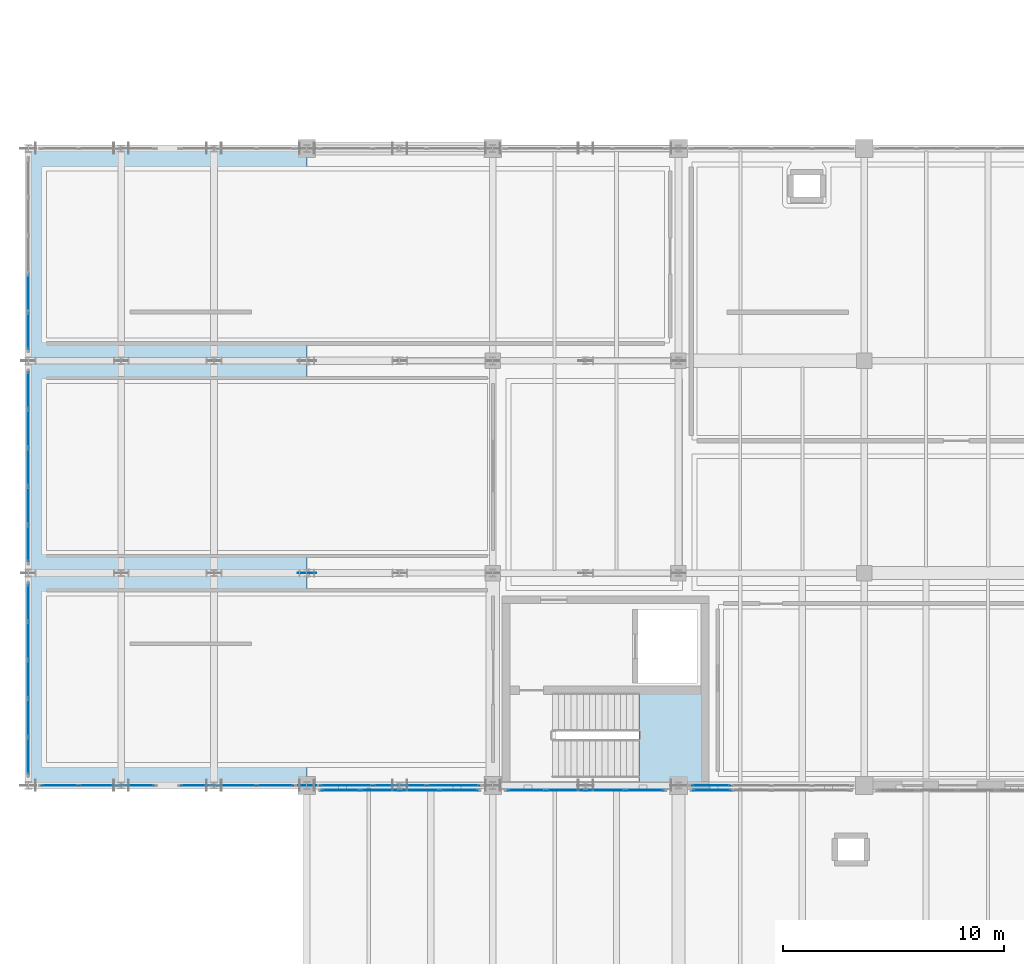
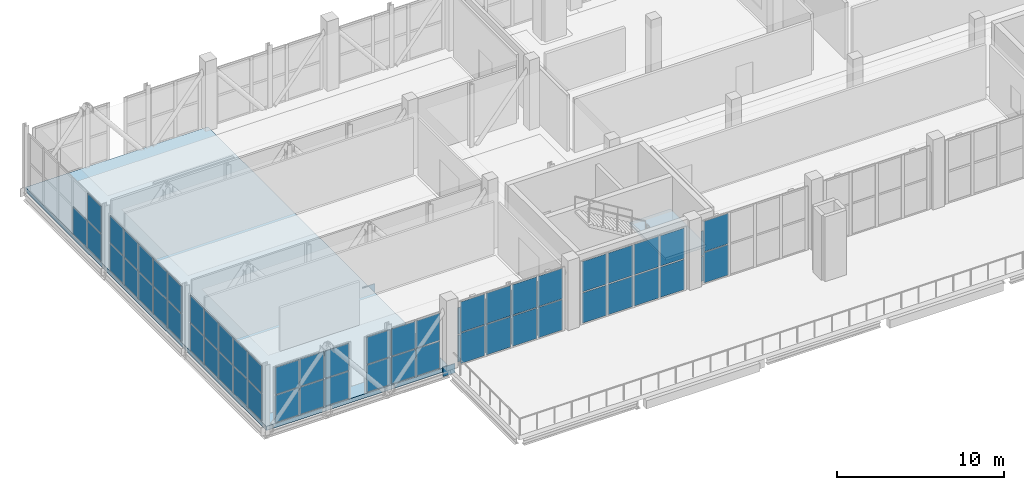
# One storey, part 49 of 77: 63 plates, 2 slabs, 11 elements without a shape of their own.
"""IFC4 building model written with IfcOpenShell, lengths in metres."""

import ifcopenshell
import ifcopenshell.guid

model = None  # the IFC model being written
_history = None  # IfcOwnerHistory: only IFC2X3 demands one
_inside = {}  # id of a spatial element -> (the spatial element, [elements in it])
_under = {}  # id of a project, library or spatial element -> (it, [spatial elements below it])
_declared = {}  # id of a project -> (the project, [libraries it declares])
_typed = {}  # id of a type object -> (the type object, [elements of that type])
_made_of = {}  # id of a material, layer set ... -> (it, [elements and type objects made of it])


def new_model(schema):
    """Start an empty IFC model of exactly this schema.

    Asked for "IFC4X3", IfcOpenShell would pick the latest addendum, in which some entities
    have other attributes; the version numbers below select the first issue.
    IFC2X3 requires an IfcOwnerHistory on every rooted entity: one is made here for all.
    """
    global model, _history
    if schema == "IFC4X3":
        model = ifcopenshell.file(schema_version=(4, 3, 0, 0))
    else:
        model = ifcopenshell.file(schema=schema)
    _inside.clear()
    _under.clear()
    _declared.clear()
    _typed.clear()
    _made_of.clear()
    _history = None
    if model.schema == "IFC2X3":
        org = make("IfcOrganization", Name="unknown")
        user = make(
            "IfcPersonAndOrganization",
            ThePerson=make("IfcPerson", FamilyName="unknown"),
            TheOrganization=org,
        )
        app = make(
            "IfcApplication",
            ApplicationDeveloper=org,
            Version="unknown",
            ApplicationFullName="unknown",
            ApplicationIdentifier="unknown",
        )
        _history = make(
            "IfcOwnerHistory",
            OwningUser=user,
            OwningApplication=app,
            ChangeAction="ADDED",
            CreationDate=0,
        )
    return model


def make(cls, **values):
    """One entity of the class cls with the attributes given. An attribute that is None is left unset."""
    return model.create_entity(
        cls, **{name: value for name, value in values.items() if value is not None}
    )


def rooted(cls, **values):
    """An entity with a GlobalId (a new one), such as an element, a storey or a relation."""
    return make(cls, GlobalId=ifcopenshell.guid.new(), OwnerHistory=_history, **values)


def si_unit(unit_type, name, prefix=None):
    """IfcSIUnit, for example si_unit("LENGTHUNIT", "METRE", prefix="MILLI")."""
    return make("IfcSIUnit", UnitType=unit_type, Prefix=prefix, Name=name)


def assignment(units):
    """IfcUnitAssignment: the units of a project."""
    return None if units is None else make("IfcUnitAssignment", Units=units)


def point(xyz):
    """IfcCartesianPoint."""
    return None if xyz is None else make("IfcCartesianPoint", Coordinates=xyz)


def direction(xyz):
    """IfcDirection."""
    return None if xyz is None else make("IfcDirection", DirectionRatios=xyz)


def frame(location, z_axis=None, x_axis=None):
    """IfcAxis2Placement3D, a coordinate frame: its origin and axes. An axis left out is left unset."""
    return make(
        "IfcAxis2Placement3D",
        Location=point(location),
        Axis=direction(z_axis),
        RefDirection=direction(x_axis),
    )


def frame_2d(location, x_axis=None):
    """IfcAxis2Placement2D, a coordinate frame in the plane: its origin and x axis."""
    return make(
        "IfcAxis2Placement2D", Location=point(location), RefDirection=direction(x_axis)
    )


def origin():
    """The frame at (0, 0, 0) with its axes left unset."""
    return frame((0.0, 0.0, 0.0))


def origin_2d():
    """The frame at (0, 0) in the plane with its x axis left unset."""
    return frame_2d((0.0, 0.0))


def place(relative_to, where):
    """IfcLocalPlacement: puts the frame where relative to a parent placement (None: the world)."""
    return make(
        "IfcLocalPlacement", PlacementRelTo=relative_to, RelativePlacement=where
    )


def context(
    kind, dimensions, precision=None, world=None, true_north=None, identifier=None
):
    """IfcGeometricRepresentationContext, for example the 3D "Model" context."""
    return make(
        "IfcGeometricRepresentationContext",
        ContextIdentifier=identifier,
        ContextType=kind,
        CoordinateSpaceDimension=dimensions,
        Precision=precision,
        WorldCoordinateSystem=world,
        TrueNorth=true_north,
    )


def subcontext(parent, identifier, kind, view, scale=None):
    """IfcGeometricRepresentationSubContext, for example "Body" below "Model"."""
    return make(
        "IfcGeometricRepresentationSubContext",
        ContextIdentifier=identifier,
        ContextType=kind,
        ParentContext=parent,
        TargetScale=scale,
        TargetView=view,
    )


def project(units=None, contexts=None):
    """IfcProject with its units and contexts."""
    return rooted(
        "IfcProject",
        Name="project",
        RepresentationContexts=contexts,
        UnitsInContext=assignment(units),
    )


def spatial(cls, under=None, at=None, **own):
    """A site, building, storey or space (cls), placed at a placement, below another one or the project."""
    s = rooted(cls, ObjectPlacement=at, **own)
    if under is not None:
        _under.setdefault(under.id(), (under, []))[1].append(s)
    return s


def polyline(points):
    """IfcPolyline through the points."""
    return make("IfcPolyline", Points=[point(p) for p in points])


def profile(cls, at=None, kind="AREA", **sizes):
    """A parametric profile (cls). Its sizes go by their IFC names, for example OverallWidth=200.0."""
    return make(cls, ProfileType=kind, Position=at, **sizes)


def rectangle(**sizes):
    """IfcRectangleProfileDef."""
    return profile("IfcRectangleProfileDef", **sizes)


def outline(outer, holes=None, kind="AREA"):
    """IfcArbitraryClosedProfileDef: a profile drawn as a closed curve; with holes, ...WithVoids."""
    if holes is None:
        return make("IfcArbitraryClosedProfileDef", ProfileType=kind, OuterCurve=outer)
    return make(
        "IfcArbitraryProfileDefWithVoids",
        ProfileType=kind,
        OuterCurve=outer,
        InnerCurves=holes,
    )


def extrude(swept, where, along, depth):
    """IfcExtrudedAreaSolid: the profile swept, set in the frame where, extruded along a direction by depth."""
    return make(
        "IfcExtrudedAreaSolid",
        SweptArea=swept,
        Position=where,
        ExtrudedDirection=direction(along),
        Depth=depth,
    )


def shape(context_of_items, identifier, shape_type, items):
    """IfcShapeRepresentation: the items that make up one representation, for example the "Body"."""
    return make(
        "IfcShapeRepresentation",
        ContextOfItems=context_of_items,
        RepresentationIdentifier=identifier,
        RepresentationType=shape_type,
        Items=items,
    )


def material(Name=None, Category=None):
    """IfcMaterial."""
    return make("IfcMaterial", Name=Name, Category=Category)


def layer(
    of_material, thickness, ventilated=None, Name=None, Category=None, Priority=None
):
    """IfcMaterialLayer: one layer of a wall or slab, of a material (None: an air gap)."""
    return make(
        "IfcMaterialLayer",
        Material=of_material,
        LayerThickness=thickness,
        IsVentilated=ventilated,
        Name=Name,
        Category=Category,
        Priority=Priority,
    )


def layer_set(layers, Name=None):
    """IfcMaterialLayerSet."""
    return make("IfcMaterialLayerSet", MaterialLayers=layers, LayerSetName=Name)


def made_of(thing, what):
    """Note that an element or type object is made of a material, layer set ...; save() writes the relation."""
    if what is not None:
        _made_of.setdefault(what.id(), (what, []))[1].append(thing)
    return thing


def type_object(cls, material=None, **own):
    """A type object (cls), such as IfcWallType, which elements share."""
    return made_of(rooted(cls, **own), material)


def element(
    cls,
    number,
    at=None,
    inside=None,
    cuts=None,
    type_object=None,
    material=None,
    context=None,
    identifier="Body",
    shape_type=None,
    held_by="IfcProductDefinitionShape",
    body=None,
    shapes=None,
    **own,
):
    """One element of the class cls, such as IfcWall. Its Tag is "e" and its number.

    at: its placement. inside: the storey or other place that contains it. cuts: it is an
    opening in that element (IfcRelVoidsElement). A single representation is given by context,
    identifier, shape_type and body (its items); several are given by shapes. held_by: the class
    of the entity that holds the representations. save() writes the other relations.
    """
    e = rooted(cls, Tag="e%d" % number, ObjectPlacement=at, **own)
    if body is not None:
        shapes = [shape(context, identifier, shape_type, body)]
    if shapes is not None:
        e.Representation = make(held_by, Representations=shapes)
    if inside is not None:
        _inside.setdefault(inside.id(), (inside, []))[1].append(e)
    if cuts is not None:
        rooted(
            "IfcRelVoidsElement", RelatingBuildingElement=cuts, RelatedOpeningElement=e
        )
    if type_object is not None:
        _typed.setdefault(type_object.id(), (type_object, []))[1].append(e)
    return made_of(e, material)


def aggregate(whole, parts):
    """IfcRelAggregates: a whole, such as a stair, and the parts it consists of."""
    return rooted("IfcRelAggregates", RelatingObject=whole, RelatedObjects=parts)


def save(model, path):
    """Write the relations noted so far, then the file.

    IfcRelAggregates (storeys below a building ...), IfcRelContainedInSpatialStructure (elements
    in a storey), IfcRelDefinesByType, IfcRelAssociatesMaterial and IfcRelDeclares: one each for
    every whole, place, type object, material and project.
    """
    for whole, parts in _under.values():
        aggregate(whole, parts)
    for where, things in _inside.values():
        rooted(
            "IfcRelContainedInSpatialStructure",
            RelatedElements=things,
            RelatingStructure=where,
        )
    for kind, things in _typed.values():
        rooted("IfcRelDefinesByType", RelatedObjects=things, RelatingType=kind)
    for what, things in _made_of.values():
        rooted("IfcRelAssociatesMaterial", RelatedObjects=things, RelatingMaterial=what)
    for by, libraries in _declared.values():
        rooted("IfcRelDeclares", RelatingContext=by, RelatedDefinitions=libraries)
    model.write(path)


model = new_model("IFC4")

# Units and contexts
model_context = context("Model", 3, precision=1e-05, world=origin(), true_north=direction((0.0, 1.0)))
body_context = subcontext(model_context, "Body", "Model", "MODEL_VIEW")
ifc_project = project(units=[si_unit("LENGTHUNIT", "METRE"), si_unit("AREAUNIT", "SQUARE_METRE"), si_unit("VOLUMEUNIT", "CUBIC_METRE"), si_unit("PLANEANGLEUNIT", "RADIAN"), si_unit("MASSUNIT", "GRAM", prefix="KILO")], contexts=[model_context])

# Site, building, storey
site_placement = place(None, origin())
site = spatial("IfcSite", under=ifc_project, at=site_placement, CompositionType="ELEMENT")
building_placement = place(site_placement, origin())
building = spatial("IfcBuilding", under=site, at=building_placement, Name="Zulmaris Art Gallery", CompositionType="ELEMENT")
storey_placement = place(building_placement, frame((0.0, 0.0, 15.60009765625)))
storey = spatial("IfcBuildingStorey", under=building, at=storey_placement, Name="L03", CompositionType="ELEMENT", Elevation=15.60009765625)

# Curtain wall, plates
ifc_material_1 = material(Name="Unitised Low-E Gallery Curtain Wall", Category="aluminium")
ifc_layer_1 = layer(ifc_material_1, 0.179931640625)
ifc_layer_set_1 = layer_set([ifc_layer_1], Name="Unitised Low-E Gallery Curtain Wall")
curtain_wall_type_1 = type_object("IfcCurtainWallType", Name="CW-CW01", PredefinedType="NOTDEFINED", material=ifc_layer_set_1)
curtain_wall_1_placement = place(storey_placement, origin())
curtain_wall_1 = element("IfcCurtainWall", 1, at=curtain_wall_1_placement, inside=storey, type_object=curtain_wall_type_1, Name="L03 curtain wall 1", PredefinedType="NOTDEFINED")
ifc_material_2 = material(Name="Triple Solar-Control Laminated Glass", Category="glass")
ifc_layer_2 = layer(ifc_material_2, 0.035888671875)
ifc_layer_set_2 = layer_set([ifc_layer_2], Name="Triple Solar-Control Laminated Glass")
plate_type_1 = type_object("IfcPlateType", Name="CWPAN-GLZ", PredefinedType="CURTAIN_PANEL", material=ifc_layer_set_2)
plate_1_placement = place(storey_placement, frame((12.828857421875, 21.60009765625, 0.07470703125), z_axis=(0.0, 0.0, 1.0), x_axis=(1.0, 0.0, 0.0)))
plate_1 = element("IfcPlate", 2, at=plate_1_placement, type_object=plate_type_1, Name="CW01 panel 1.1", PredefinedType="CURTAIN_PANEL", context=body_context, shape_type="SweptSolid", body=[
    extrude(rectangle(XDim=1.62744140625, YDim=0.031982421875, at=origin_2d()), origin(), (0.0, 0.0, 1.0), 1.967529296875),
])
plate_2_placement = place(storey_placement, frame((12.828857421875, 21.60009765625, 2.1171875), z_axis=(0.0, 0.0, 1.0), x_axis=(1.0, 0.0, 0.0)))
plate_2 = element("IfcPlate", 3, at=plate_2_placement, type_object=plate_type_1, Name="CW01 panel 1.2", PredefinedType="CURTAIN_PANEL", context=body_context, shape_type="SweptSolid", body=[
    extrude(rectangle(XDim=1.62744140625, YDim=0.031982421875, at=origin_2d()), origin(), (0.0, 0.0, 1.0), 1.967529296875),
])
plate_3_placement = place(storey_placement, frame((14.550048828125, 21.60009765625, 0.07470703125), z_axis=(0.0, 0.0, 1.0), x_axis=(1.0, 0.0, 0.0)))
plate_3 = element("IfcPlate", 4, at=plate_3_placement, type_object=plate_type_1, Name="CW01 panel 2.1", PredefinedType="CURTAIN_PANEL", context=body_context, shape_type="SweptSolid", body=[
    extrude(rectangle(XDim=1.6650390625, YDim=0.031982421875, at=origin_2d()), origin(), (0.0, 0.0, 1.0), 1.967529296875),
])
plate_4_placement = place(storey_placement, frame((14.550048828125, 21.60009765625, 2.1171875), z_axis=(0.0, 0.0, 1.0), x_axis=(1.0, 0.0, 0.0)))
plate_4 = element("IfcPlate", 5, at=plate_4_placement, type_object=plate_type_1, Name="CW01 panel 2.2", PredefinedType="CURTAIN_PANEL", context=body_context, shape_type="SweptSolid", body=[
    extrude(rectangle(XDim=1.6650390625, YDim=0.031982421875, at=origin_2d()), origin(), (0.0, 0.0, 1.0), 1.967529296875),
])
plate_5_placement = place(storey_placement, frame((16.271240234375, 21.60009765625, 0.07470703125), z_axis=(0.0, 0.0, 1.0), x_axis=(1.0, 0.0, 0.0)))
plate_5 = element("IfcPlate", 6, at=plate_5_placement, type_object=plate_type_1, Name="CW01 panel 3.1", PredefinedType="CURTAIN_PANEL", context=body_context, shape_type="SweptSolid", body=[
    extrude(rectangle(XDim=1.62744140625, YDim=0.031982421875, at=origin_2d()), origin(), (0.0, 0.0, 1.0), 1.967529296875),
])
plate_6_placement = place(storey_placement, frame((16.271240234375, 21.60009765625, 2.1171875), z_axis=(0.0, 0.0, 1.0), x_axis=(1.0, 0.0, 0.0)))
plate_6 = element("IfcPlate", 7, at=plate_6_placement, type_object=plate_type_1, Name="CW01 panel 3.2", PredefinedType="CURTAIN_PANEL", context=body_context, shape_type="SweptSolid", body=[
    extrude(rectangle(XDim=1.62744140625, YDim=0.031982421875, at=origin_2d()), origin(), (0.0, 0.0, 1.0), 1.967529296875),
])
aggregate(curtain_wall_1, [plate_1, plate_2, plate_3, plate_4, plate_5, plate_6])

curtain_wall_2_placement = place(storey_placement, origin())
curtain_wall_2 = element("IfcCurtainWall", 8, at=curtain_wall_2_placement, inside=storey, type_object=curtain_wall_type_1, Name="L03 curtain wall 3", PredefinedType="NOTDEFINED")
plate_7_placement = place(storey_placement, frame((19.128662109375, 21.60009765625, 0.07470703125), z_axis=(0.0, 0.0, 1.0), x_axis=(1.0, 0.0, 0.0)))
plate_7 = element("IfcPlate", 9, at=plate_7_placement, type_object=plate_type_1, Name="CW01 panel 1.1", PredefinedType="CURTAIN_PANEL", context=body_context, shape_type="SweptSolid", body=[
    extrude(rectangle(XDim=1.62744140625, YDim=0.031982421875, at=origin_2d()), origin(), (0.0, 0.0, 1.0), 1.967529296875),
])
plate_8_placement = place(storey_placement, frame((19.128662109375, 21.60009765625, 2.1171875), z_axis=(0.0, 0.0, 1.0), x_axis=(1.0, 0.0, 0.0)))
plate_8 = element("IfcPlate", 10, at=plate_8_placement, type_object=plate_type_1, Name="CW01 panel 1.2", PredefinedType="CURTAIN_PANEL", context=body_context, shape_type="SweptSolid", body=[
    extrude(rectangle(XDim=1.62744140625, YDim=0.031982421875, at=origin_2d()), origin(), (0.0, 0.0, 1.0), 1.967529296875),
])
plate_9_placement = place(storey_placement, frame((20.85009765625, 21.60009765625, 0.07470703125), z_axis=(0.0, 0.0, 1.0), x_axis=(1.0, 0.0, 0.0)))
plate_9 = element("IfcPlate", 11, at=plate_9_placement, type_object=plate_type_1, Name="CW01 panel 2.1", PredefinedType="CURTAIN_PANEL", context=body_context, shape_type="SweptSolid", body=[
    extrude(rectangle(XDim=1.6650390625, YDim=0.031982421875, at=origin_2d()), origin(), (0.0, 0.0, 1.0), 1.967529296875),
])
plate_10_placement = place(storey_placement, frame((20.85009765625, 21.60009765625, 2.1171875), z_axis=(0.0, 0.0, 1.0), x_axis=(1.0, 0.0, 0.0)))
plate_10 = element("IfcPlate", 12, at=plate_10_placement, type_object=plate_type_1, Name="CW01 panel 2.2", PredefinedType="CURTAIN_PANEL", context=body_context, shape_type="SweptSolid", body=[
    extrude(rectangle(XDim=1.6650390625, YDim=0.031982421875, at=origin_2d()), origin(), (0.0, 0.0, 1.0), 1.967529296875),
])
plate_11_placement = place(storey_placement, frame((22.5712890625, 21.60009765625, 0.07470703125), z_axis=(0.0, 0.0, 1.0), x_axis=(1.0, 0.0, 0.0)))
plate_11 = element("IfcPlate", 13, at=plate_11_placement, type_object=plate_type_1, Name="CW01 panel 3.1", PredefinedType="CURTAIN_PANEL", context=body_context, shape_type="SweptSolid", body=[
    extrude(rectangle(XDim=1.62744140625, YDim=0.031982421875, at=origin_2d()), origin(), (0.0, 0.0, 1.0), 1.967529296875),
])
plate_12_placement = place(storey_placement, frame((22.5712890625, 21.60009765625, 2.1171875), z_axis=(0.0, 0.0, 1.0), x_axis=(1.0, 0.0, 0.0)))
plate_12 = element("IfcPlate", 14, at=plate_12_placement, type_object=plate_type_1, Name="CW01 panel 3.2", PredefinedType="CURTAIN_PANEL", context=body_context, shape_type="SweptSolid", body=[
    extrude(rectangle(XDim=1.62744140625, YDim=0.031982421875, at=origin_2d()), origin(), (0.0, 0.0, 1.0), 1.967529296875),
])
aggregate(curtain_wall_2, [plate_7, plate_8, plate_9, plate_10, plate_11, plate_12])

curtain_wall_3_placement = place(storey_placement, origin())
curtain_wall_3 = element("IfcCurtainWall", 15, at=curtain_wall_3_placement, inside=storey, type_object=curtain_wall_type_1, Name="L03 curtain wall 5", PredefinedType="NOTDEFINED")
plate_13_placement = place(storey_placement, frame((25.77880859375, 21.60009765625, 0.074951171875), z_axis=(0.0, 0.0, 1.0), x_axis=(1.0, 0.0, 0.0)))
plate_13 = element("IfcPlate", 16, at=plate_13_placement, type_object=plate_type_1, Name="CW01 panel 1.1", PredefinedType="CURTAIN_PANEL", context=body_context, shape_type="SweptSolid", body=[
    extrude(rectangle(XDim=2.327392578125, YDim=0.031982421875, at=origin_2d()), origin(), (0.0, 0.0, 1.0), 1.9423828125),
])
plate_14_placement = place(storey_placement, frame((25.77880859375, 21.60009765625, 2.092529296875), z_axis=(0.0, 0.0, 1.0), x_axis=(1.0, 0.0, 0.0)))
plate_14 = element("IfcPlate", 17, at=plate_14_placement, type_object=plate_type_1, Name="CW01 panel 1.2", PredefinedType="CURTAIN_PANEL", context=body_context, shape_type="SweptSolid", body=[
    extrude(rectangle(XDim=2.327392578125, YDim=0.031982421875, at=origin_2d()), origin(), (0.0, 0.0, 1.0), 1.9423828125),
])
plate_15_placement = place(storey_placement, frame((28.199951171875, 21.60009765625, 0.074951171875), z_axis=(0.0, 0.0, 1.0), x_axis=(1.0, 0.0, 0.0)))
plate_15 = element("IfcPlate", 18, at=plate_15_placement, type_object=plate_type_1, Name="CW01 panel 2.1", PredefinedType="CURTAIN_PANEL", context=body_context, shape_type="SweptSolid", body=[
    extrude(rectangle(XDim=2.364990234375, YDim=0.031982421875, at=origin_2d()), origin(), (0.0, 0.0, 1.0), 1.9423828125),
])
plate_16_placement = place(storey_placement, frame((28.199951171875, 21.60009765625, 2.092529296875), z_axis=(0.0, 0.0, 1.0), x_axis=(1.0, 0.0, 0.0)))
plate_16 = element("IfcPlate", 19, at=plate_16_placement, type_object=plate_type_1, Name="CW01 panel 2.2", PredefinedType="CURTAIN_PANEL", context=body_context, shape_type="SweptSolid", body=[
    extrude(rectangle(XDim=2.364990234375, YDim=0.031982421875, at=origin_2d()), origin(), (0.0, 0.0, 1.0), 1.9423828125),
])
plate_17_placement = place(storey_placement, frame((30.621337890625, 21.60009765625, 0.074951171875), z_axis=(0.0, 0.0, 1.0), x_axis=(1.0, 0.0, 0.0)))
plate_17 = element("IfcPlate", 20, at=plate_17_placement, type_object=plate_type_1, Name="CW01 panel 3.1", PredefinedType="CURTAIN_PANEL", context=body_context, shape_type="SweptSolid", body=[
    extrude(rectangle(XDim=2.327392578125, YDim=0.031982421875, at=origin_2d()), origin(), (0.0, 0.0, 1.0), 1.9423828125),
])
plate_18_placement = place(storey_placement, frame((30.621337890625, 21.60009765625, 2.092529296875), z_axis=(0.0, 0.0, 1.0), x_axis=(1.0, 0.0, 0.0)))
plate_18 = element("IfcPlate", 21, at=plate_18_placement, type_object=plate_type_1, Name="CW01 panel 3.2", PredefinedType="CURTAIN_PANEL", context=body_context, shape_type="SweptSolid", body=[
    extrude(rectangle(XDim=2.327392578125, YDim=0.031982421875, at=origin_2d()), origin(), (0.0, 0.0, 1.0), 1.9423828125),
])
aggregate(curtain_wall_3, [plate_13, plate_14, plate_15, plate_16, plate_17, plate_18])

curtain_wall_4_placement = place(storey_placement, origin())
curtain_wall_4 = element("IfcCurtainWall", 22, at=curtain_wall_4_placement, inside=storey, type_object=curtain_wall_type_1, Name="L03 curtain wall 8", PredefinedType="NOTDEFINED")
plate_19_placement = place(storey_placement, frame((42.273681640625, 21.60009765625, 0.074951171875), z_axis=(0.0, 0.0, 1.0), x_axis=(1.0, 0.0, 0.0)))
plate_19 = element("IfcPlate", 23, at=plate_19_placement, type_object=plate_type_1, Name="CW01 panel 1.1", PredefinedType="CURTAIN_PANEL", context=body_context, shape_type="SweptSolid", body=[
    extrude(rectangle(XDim=1.717529296875, YDim=0.031982421875, at=origin_2d()), origin(), (0.0, 0.0, 1.0), 1.79248046875),
])
plate_20_placement = place(storey_placement, frame((42.273681640625, 21.60009765625, 1.9423828125), z_axis=(0.0, 0.0, 1.0), x_axis=(1.0, 0.0, 0.0)))
plate_20 = element("IfcPlate", 24, at=plate_20_placement, type_object=plate_type_1, Name="CW01 panel 1.2", PredefinedType="CURTAIN_PANEL", context=body_context, shape_type="SweptSolid", body=[
    extrude(rectangle(XDim=1.717529296875, YDim=0.031982421875, at=origin_2d()), origin(), (0.0, 0.0, 1.0), 1.79248046875),
])
aggregate(curtain_wall_4, [plate_19, plate_20])

ifc_material_3 = material(Name="Belvedere Horizon Glazed Curtain Wall", Category="aluminium")
ifc_layer_3 = layer(ifc_material_3, 0.179931640625)
ifc_layer_set_3 = layer_set([ifc_layer_3], Name="Belvedere Horizon Glazed Curtain Wall")
curtain_wall_type_2 = type_object("IfcCurtainWallType", Name="CW-CW02", PredefinedType="NOTDEFINED", material=ifc_layer_set_3)
curtain_wall_5_placement = place(storey_placement, origin())
curtain_wall_5 = element("IfcCurtainWall", 25, at=curtain_wall_5_placement, inside=storey, type_object=curtain_wall_type_2, Name="L03 curtain wall 16", PredefinedType="NOTDEFINED")
plate_21_placement = place(storey_placement, frame((11.39990234375, 22.938720703125, 0.07470703125), z_axis=(0.0, 0.0, 1.0), x_axis=(0.0, 1.0, 0.0)))
plate_21 = element("IfcPlate", 26, at=plate_21_placement, type_object=plate_type_1, Name="CW02 panel 1.1", PredefinedType="CURTAIN_PANEL", context=body_context, shape_type="SweptSolid", body=[
    extrude(rectangle(XDim=1.62744140625, YDim=0.031982421875, at=origin_2d()), origin(), (0.0, 0.0, 1.0), 1.967529296875),
])
plate_22_placement = place(storey_placement, frame((11.39990234375, 22.938720703125, 2.1171875), z_axis=(0.0, 0.0, 1.0), x_axis=(0.0, 1.0, 0.0)))
plate_22 = element("IfcPlate", 27, at=plate_22_placement, type_object=plate_type_1, Name="CW02 panel 1.2", PredefinedType="CURTAIN_PANEL", context=body_context, shape_type="SweptSolid", body=[
    extrude(rectangle(XDim=1.62744140625, YDim=0.031982421875, at=origin_2d()), origin(), (0.0, 0.0, 1.0), 1.967529296875),
])
plate_23_placement = place(storey_placement, frame((11.39990234375, 24.659912109375, 0.07470703125), z_axis=(0.0, 0.0, 1.0), x_axis=(0.0, 1.0, 0.0)))
plate_23 = element("IfcPlate", 28, at=plate_23_placement, type_object=plate_type_1, Name="CW02 panel 2.1", PredefinedType="CURTAIN_PANEL", context=body_context, shape_type="SweptSolid", body=[
    extrude(rectangle(XDim=1.6650390625, YDim=0.031982421875, at=origin_2d()), origin(), (0.0, 0.0, 1.0), 1.967529296875),
])
plate_24_placement = place(storey_placement, frame((11.39990234375, 24.659912109375, 2.1171875), z_axis=(0.0, 0.0, 1.0), x_axis=(0.0, 1.0, 0.0)))
plate_24 = element("IfcPlate", 29, at=plate_24_placement, type_object=plate_type_1, Name="CW02 panel 2.2", PredefinedType="CURTAIN_PANEL", context=body_context, shape_type="SweptSolid", body=[
    extrude(rectangle(XDim=1.6650390625, YDim=0.031982421875, at=origin_2d()), origin(), (0.0, 0.0, 1.0), 1.967529296875),
])
plate_25_placement = place(storey_placement, frame((11.39990234375, 26.39990234375, 0.07470703125), z_axis=(0.0, 0.0, 1.0), x_axis=(0.0, 1.0, 0.0)))
plate_25 = element("IfcPlate", 30, at=plate_25_placement, type_object=plate_type_1, Name="CW02 panel 3.1", PredefinedType="CURTAIN_PANEL", context=body_context, shape_type="SweptSolid", body=[
    extrude(rectangle(XDim=1.6650390625, YDim=0.031982421875, at=origin_2d()), origin(), (0.0, 0.0, 1.0), 1.967529296875),
])
plate_26_placement = place(storey_placement, frame((11.39990234375, 26.39990234375, 2.1171875), z_axis=(0.0, 0.0, 1.0), x_axis=(0.0, 1.0, 0.0)))
plate_26 = element("IfcPlate", 31, at=plate_26_placement, type_object=plate_type_1, Name="CW02 panel 3.2", PredefinedType="CURTAIN_PANEL", context=body_context, shape_type="SweptSolid", body=[
    extrude(rectangle(XDim=1.6650390625, YDim=0.031982421875, at=origin_2d()), origin(), (0.0, 0.0, 1.0), 1.967529296875),
])
plate_27_placement = place(storey_placement, frame((11.39990234375, 28.139892578125, 0.07470703125), z_axis=(0.0, 0.0, 1.0), x_axis=(0.0, 1.0, 0.0)))
plate_27 = element("IfcPlate", 32, at=plate_27_placement, type_object=plate_type_1, Name="CW02 panel 4.1", PredefinedType="CURTAIN_PANEL", context=body_context, shape_type="SweptSolid", body=[
    extrude(rectangle(XDim=1.6650390625, YDim=0.031982421875, at=origin_2d()), origin(), (0.0, 0.0, 1.0), 1.967529296875),
])
plate_28_placement = place(storey_placement, frame((11.39990234375, 28.139892578125, 2.1171875), z_axis=(0.0, 0.0, 1.0), x_axis=(0.0, 1.0, 0.0)))
plate_28 = element("IfcPlate", 33, at=plate_28_placement, type_object=plate_type_1, Name="CW02 panel 4.2", PredefinedType="CURTAIN_PANEL", context=body_context, shape_type="SweptSolid", body=[
    extrude(rectangle(XDim=1.6650390625, YDim=0.031982421875, at=origin_2d()), origin(), (0.0, 0.0, 1.0), 1.967529296875),
])
plate_29_placement = place(storey_placement, frame((11.39990234375, 29.861328125, 0.07470703125), z_axis=(0.0, 0.0, 1.0), x_axis=(0.0, 1.0, 0.0)))
plate_29 = element("IfcPlate", 34, at=plate_29_placement, type_object=plate_type_1, Name="CW02 panel 5.1", PredefinedType="CURTAIN_PANEL", context=body_context, shape_type="SweptSolid", body=[
    extrude(rectangle(XDim=1.62744140625, YDim=0.031982421875, at=origin_2d()), origin(), (0.0, 0.0, 1.0), 1.967529296875),
])
plate_30_placement = place(storey_placement, frame((11.39990234375, 29.861328125, 2.1171875), z_axis=(0.0, 0.0, 1.0), x_axis=(0.0, 1.0, 0.0)))
plate_30 = element("IfcPlate", 35, at=plate_30_placement, type_object=plate_type_1, Name="CW02 panel 5.2", PredefinedType="CURTAIN_PANEL", context=body_context, shape_type="SweptSolid", body=[
    extrude(rectangle(XDim=1.62744140625, YDim=0.031982421875, at=origin_2d()), origin(), (0.0, 0.0, 1.0), 1.967529296875),
])
aggregate(curtain_wall_5, [plate_21, plate_22, plate_23, plate_24, plate_25, plate_26, plate_27, plate_28, plate_29, plate_30])

curtain_wall_6_placement = place(storey_placement, origin())
curtain_wall_6 = element("IfcCurtainWall", 36, at=curtain_wall_6_placement, inside=storey, type_object=curtain_wall_type_2, Name="L03 curtain wall 17", PredefinedType="NOTDEFINED")
plate_31_placement = place(storey_placement, frame((11.39990234375, 32.538818359375, 0.07470703125), z_axis=(0.0, 0.0, 1.0), x_axis=(0.0, 1.0, 0.0)))
plate_31 = element("IfcPlate", 37, at=plate_31_placement, type_object=plate_type_1, Name="CW02 panel 1.1", PredefinedType="CURTAIN_PANEL", context=body_context, shape_type="SweptSolid", body=[
    extrude(rectangle(XDim=1.62744140625, YDim=0.031982421875, at=origin_2d()), origin(), (0.0, 0.0, 1.0), 1.967529296875),
])
plate_32_placement = place(storey_placement, frame((11.39990234375, 32.538818359375, 2.1171875), z_axis=(0.0, 0.0, 1.0), x_axis=(0.0, 1.0, 0.0)))
plate_32 = element("IfcPlate", 38, at=plate_32_placement, type_object=plate_type_1, Name="CW02 panel 1.2", PredefinedType="CURTAIN_PANEL", context=body_context, shape_type="SweptSolid", body=[
    extrude(rectangle(XDim=1.62744140625, YDim=0.031982421875, at=origin_2d()), origin(), (0.0, 0.0, 1.0), 1.967529296875),
])
plate_33_placement = place(storey_placement, frame((11.39990234375, 34.260009765625, 0.07470703125), z_axis=(0.0, 0.0, 1.0), x_axis=(0.0, 1.0, 0.0)))
plate_33 = element("IfcPlate", 39, at=plate_33_placement, type_object=plate_type_1, Name="CW02 panel 2.1", PredefinedType="CURTAIN_PANEL", context=body_context, shape_type="SweptSolid", body=[
    extrude(rectangle(XDim=1.6650390625, YDim=0.031982421875, at=origin_2d()), origin(), (0.0, 0.0, 1.0), 1.967529296875),
])
plate_34_placement = place(storey_placement, frame((11.39990234375, 34.260009765625, 2.1171875), z_axis=(0.0, 0.0, 1.0), x_axis=(0.0, 1.0, 0.0)))
plate_34 = element("IfcPlate", 40, at=plate_34_placement, type_object=plate_type_1, Name="CW02 panel 2.2", PredefinedType="CURTAIN_PANEL", context=body_context, shape_type="SweptSolid", body=[
    extrude(rectangle(XDim=1.6650390625, YDim=0.031982421875, at=origin_2d()), origin(), (0.0, 0.0, 1.0), 1.967529296875),
])
plate_35_placement = place(storey_placement, frame((11.39990234375, 36.0, 0.07470703125), z_axis=(0.0, 0.0, 1.0), x_axis=(0.0, 1.0, 0.0)))
plate_35 = element("IfcPlate", 41, at=plate_35_placement, type_object=plate_type_1, Name="CW02 panel 3.1", PredefinedType="CURTAIN_PANEL", context=body_context, shape_type="SweptSolid", body=[
    extrude(rectangle(XDim=1.6650390625, YDim=0.031982421875, at=origin_2d()), origin(), (0.0, 0.0, 1.0), 1.967529296875),
])
plate_36_placement = place(storey_placement, frame((11.39990234375, 36.0, 2.1171875), z_axis=(0.0, 0.0, 1.0), x_axis=(0.0, 1.0, 0.0)))
plate_36 = element("IfcPlate", 42, at=plate_36_placement, type_object=plate_type_1, Name="CW02 panel 3.2", PredefinedType="CURTAIN_PANEL", context=body_context, shape_type="SweptSolid", body=[
    extrude(rectangle(XDim=1.6650390625, YDim=0.031982421875, at=origin_2d()), origin(), (0.0, 0.0, 1.0), 1.967529296875),
])
plate_37_placement = place(storey_placement, frame((11.39990234375, 37.739990234375, 0.07470703125), z_axis=(0.0, 0.0, 1.0), x_axis=(0.0, 1.0, 0.0)))
plate_37 = element("IfcPlate", 43, at=plate_37_placement, type_object=plate_type_1, Name="CW02 panel 4.1", PredefinedType="CURTAIN_PANEL", context=body_context, shape_type="SweptSolid", body=[
    extrude(rectangle(XDim=1.6650390625, YDim=0.031982421875, at=origin_2d()), origin(), (0.0, 0.0, 1.0), 1.967529296875),
])
plate_38_placement = place(storey_placement, frame((11.39990234375, 37.739990234375, 2.1171875), z_axis=(0.0, 0.0, 1.0), x_axis=(0.0, 1.0, 0.0)))
plate_38 = element("IfcPlate", 44, at=plate_38_placement, type_object=plate_type_1, Name="CW02 panel 4.2", PredefinedType="CURTAIN_PANEL", context=body_context, shape_type="SweptSolid", body=[
    extrude(rectangle(XDim=1.6650390625, YDim=0.031982421875, at=origin_2d()), origin(), (0.0, 0.0, 1.0), 1.967529296875),
])
plate_39_placement = place(storey_placement, frame((11.39990234375, 39.461181640625, 0.07470703125), z_axis=(0.0, 0.0, 1.0), x_axis=(0.0, 1.0, 0.0)))
plate_39 = element("IfcPlate", 45, at=plate_39_placement, type_object=plate_type_1, Name="CW02 panel 5.1", PredefinedType="CURTAIN_PANEL", context=body_context, shape_type="SweptSolid", body=[
    extrude(rectangle(XDim=1.62744140625, YDim=0.031982421875, at=origin_2d()), origin(), (0.0, 0.0, 1.0), 1.967529296875),
])
plate_40_placement = place(storey_placement, frame((11.39990234375, 39.461181640625, 2.1171875), z_axis=(0.0, 0.0, 1.0), x_axis=(0.0, 1.0, 0.0)))
plate_40 = element("IfcPlate", 46, at=plate_40_placement, type_object=plate_type_1, Name="CW02 panel 5.2", PredefinedType="CURTAIN_PANEL", context=body_context, shape_type="SweptSolid", body=[
    extrude(rectangle(XDim=1.62744140625, YDim=0.031982421875, at=origin_2d()), origin(), (0.0, 0.0, 1.0), 1.967529296875),
])
aggregate(curtain_wall_6, [plate_31, plate_32, plate_33, plate_34, plate_35, plate_36, plate_37, plate_38, plate_39, plate_40])

curtain_wall_7_placement = place(storey_placement, origin())
curtain_wall_7 = element("IfcCurtainWall", 47, at=curtain_wall_7_placement, inside=storey, type_object=curtain_wall_type_2, Name="L03 curtain wall 18", PredefinedType="NOTDEFINED")
plate_41_placement = place(storey_placement, frame((11.39990234375, 42.138671875, 0.07470703125), z_axis=(0.0, 0.0, 1.0), x_axis=(0.0, 1.0, 0.0)))
plate_41 = element("IfcPlate", 48, at=plate_41_placement, type_object=plate_type_1, Name="CW02 panel 1.1", PredefinedType="CURTAIN_PANEL", context=body_context, shape_type="SweptSolid", body=[
    extrude(rectangle(XDim=1.62744140625, YDim=0.031982421875, at=origin_2d()), origin(), (0.0, 0.0, 1.0), 1.967529296875),
])
plate_42_placement = place(storey_placement, frame((11.39990234375, 42.138671875, 2.1171875), z_axis=(0.0, 0.0, 1.0), x_axis=(0.0, 1.0, 0.0)))
plate_42 = element("IfcPlate", 49, at=plate_42_placement, type_object=plate_type_1, Name="CW02 panel 1.2", PredefinedType="CURTAIN_PANEL", context=body_context, shape_type="SweptSolid", body=[
    extrude(rectangle(XDim=1.62744140625, YDim=0.031982421875, at=origin_2d()), origin(), (0.0, 0.0, 1.0), 1.967529296875),
])
plate_43_placement = place(storey_placement, frame((11.39990234375, 43.860107421875, 0.07470703125), z_axis=(0.0, 0.0, 1.0), x_axis=(0.0, 1.0, 0.0)))
plate_43 = element("IfcPlate", 50, at=plate_43_placement, type_object=plate_type_1, Name="CW02 panel 2.1", PredefinedType="CURTAIN_PANEL", context=body_context, shape_type="SweptSolid", body=[
    extrude(rectangle(XDim=1.6650390625, YDim=0.031982421875, at=origin_2d()), origin(), (0.0, 0.0, 1.0), 1.967529296875),
])
aggregate(curtain_wall_7, [plate_41, plate_42, plate_43])

ifc_material_4 = material(Name="Perforated Bronze Art Deco Mashrabiya Screen", Category="aluminium")
ifc_layer_4 = layer(ifc_material_4, 0.179931640625)
ifc_layer_set_4 = layer_set([ifc_layer_4], Name="Perforated Bronze Art Deco Mashrabiya Screen")
curtain_wall_type_3 = type_object("IfcCurtainWallType", Name="CW-CW06", PredefinedType="USERDEFINED", material=ifc_layer_set_4)
curtain_wall_8_placement = place(storey_placement, origin())
curtain_wall_8 = element("IfcCurtainWall", 51, at=curtain_wall_8_placement, inside=storey, type_object=curtain_wall_type_3, Name="L03 Mashrabiya screen 171", ObjectType="MASHRABIYA SCREEN", PredefinedType="USERDEFINED")
ifc_material_5 = material(Name="Perforated Cast Bronze Chevron Panel", Category="aluminium")
ifc_layer_5 = layer(ifc_material_5, 0.02392578125)
ifc_layer_set_5 = layer_set([ifc_layer_5], Name="Perforated Cast Bronze Chevron Panel")
plate_type_2 = type_object("IfcPlateType", Name="CWPAN-MSH", PredefinedType="CURTAIN_PANEL", material=ifc_layer_set_5)
plate_44_placement = place(storey_placement, frame((25.518798828125, 21.3798828125, 0.074951171875), z_axis=(0.0, 0.0, 1.0), x_axis=(1.0, 0.0, 0.0)))
plate_44 = element("IfcPlate", 52, at=plate_44_placement, type_object=plate_type_2, Name="CW06 panel 1.1", PredefinedType="CURTAIN_PANEL", context=body_context, shape_type="SweptSolid", body=[
    extrude(rectangle(XDim=1.6875, YDim=0.031982421875, at=origin_2d()), origin(), (0.0, 0.0, 1.0), 2.21240234375),
])
plate_45_placement = place(storey_placement, frame((25.518798828125, 21.3798828125, 2.362548828125), z_axis=(0.0, 0.0, 1.0), x_axis=(1.0, 0.0, 0.0)))
plate_45 = element("IfcPlate", 53, at=plate_45_placement, type_object=plate_type_2, Name="CW06 panel 1.2", PredefinedType="CURTAIN_PANEL", context=body_context, shape_type="SweptSolid", body=[
    extrude(rectangle(XDim=1.6875, YDim=0.031982421875, at=origin_2d()), origin(), (0.0, 0.0, 1.0), 2.21240234375),
])
plate_46_placement = place(storey_placement, frame((27.300048828125, 21.3798828125, 0.074951171875), z_axis=(0.0, 0.0, 1.0), x_axis=(1.0, 0.0, 0.0)))
plate_46 = element("IfcPlate", 54, at=plate_46_placement, type_object=plate_type_2, Name="CW06 panel 2.1", PredefinedType="CURTAIN_PANEL", context=body_context, shape_type="SweptSolid", body=[
    extrude(rectangle(XDim=1.72509765625, YDim=0.031982421875, at=origin_2d()), origin(), (0.0, 0.0, 1.0), 2.21240234375),
])
plate_47_placement = place(storey_placement, frame((27.300048828125, 21.3798828125, 2.362548828125), z_axis=(0.0, 0.0, 1.0), x_axis=(1.0, 0.0, 0.0)))
plate_47 = element("IfcPlate", 55, at=plate_47_placement, type_object=plate_type_2, Name="CW06 panel 2.2", PredefinedType="CURTAIN_PANEL", context=body_context, shape_type="SweptSolid", body=[
    extrude(rectangle(XDim=1.72509765625, YDim=0.031982421875, at=origin_2d()), origin(), (0.0, 0.0, 1.0), 2.21240234375),
])
plate_48_placement = place(storey_placement, frame((29.10009765625, 21.3798828125, 0.074951171875), z_axis=(0.0, 0.0, 1.0), x_axis=(1.0, 0.0, 0.0)))
plate_48 = element("IfcPlate", 56, at=plate_48_placement, type_object=plate_type_2, Name="CW06 panel 3.1", PredefinedType="CURTAIN_PANEL", context=body_context, shape_type="SweptSolid", body=[
    extrude(rectangle(XDim=1.72509765625, YDim=0.031982421875, at=origin_2d()), origin(), (0.0, 0.0, 1.0), 2.21240234375),
])
plate_49_placement = place(storey_placement, frame((29.10009765625, 21.3798828125, 2.362548828125), z_axis=(0.0, 0.0, 1.0), x_axis=(1.0, 0.0, 0.0)))
plate_49 = element("IfcPlate", 57, at=plate_49_placement, type_object=plate_type_2, Name="CW06 panel 3.2", PredefinedType="CURTAIN_PANEL", context=body_context, shape_type="SweptSolid", body=[
    extrude(rectangle(XDim=1.72509765625, YDim=0.031982421875, at=origin_2d()), origin(), (0.0, 0.0, 1.0), 2.21240234375),
])
plate_50_placement = place(storey_placement, frame((30.88134765625, 21.3798828125, 0.074951171875), z_axis=(0.0, 0.0, 1.0), x_axis=(1.0, 0.0, 0.0)))
plate_50 = element("IfcPlate", 58, at=plate_50_placement, type_object=plate_type_2, Name="CW06 panel 4.1", PredefinedType="CURTAIN_PANEL", context=body_context, shape_type="SweptSolid", body=[
    extrude(rectangle(XDim=1.6875, YDim=0.031982421875, at=origin_2d()), origin(), (0.0, 0.0, 1.0), 2.21240234375),
])
plate_51_placement = place(storey_placement, frame((30.88134765625, 21.3798828125, 2.362548828125), z_axis=(0.0, 0.0, 1.0), x_axis=(1.0, 0.0, 0.0)))
plate_51 = element("IfcPlate", 59, at=plate_51_placement, type_object=plate_type_2, Name="CW06 panel 4.2", PredefinedType="CURTAIN_PANEL", context=body_context, shape_type="SweptSolid", body=[
    extrude(rectangle(XDim=1.6875, YDim=0.031982421875, at=origin_2d()), origin(), (0.0, 0.0, 1.0), 2.21240234375),
])
aggregate(curtain_wall_8, [plate_44, plate_45, plate_46, plate_47, plate_48, plate_49, plate_50, plate_51])

curtain_wall_9_placement = place(storey_placement, origin())
curtain_wall_9 = element("IfcCurtainWall", 60, at=curtain_wall_9_placement, inside=storey, type_object=curtain_wall_type_3, Name="L03 Mashrabiya screen 172", ObjectType="MASHRABIYA SCREEN", PredefinedType="USERDEFINED")
plate_52_placement = place(storey_placement, frame((33.918701171875, 21.3798828125, 0.074951171875), z_axis=(0.0, 0.0, 1.0), x_axis=(1.0, 0.0, 0.0)))
plate_52 = element("IfcPlate", 61, at=plate_52_placement, type_object=plate_type_2, Name="CW06 panel 1.1", PredefinedType="CURTAIN_PANEL", context=body_context, shape_type="SweptSolid", body=[
    extrude(rectangle(XDim=1.6875, YDim=0.031982421875, at=origin_2d()), origin(), (0.0, 0.0, 1.0), 2.21240234375),
])
plate_53_placement = place(storey_placement, frame((33.918701171875, 21.3798828125, 2.362548828125), z_axis=(0.0, 0.0, 1.0), x_axis=(1.0, 0.0, 0.0)))
plate_53 = element("IfcPlate", 62, at=plate_53_placement, type_object=plate_type_2, Name="CW06 panel 1.2", PredefinedType="CURTAIN_PANEL", context=body_context, shape_type="SweptSolid", body=[
    extrude(rectangle(XDim=1.6875, YDim=0.031982421875, at=origin_2d()), origin(), (0.0, 0.0, 1.0), 2.21240234375),
])
plate_54_placement = place(storey_placement, frame((35.699951171875, 21.3798828125, 0.074951171875), z_axis=(0.0, 0.0, 1.0), x_axis=(1.0, 0.0, 0.0)))
plate_54 = element("IfcPlate", 63, at=plate_54_placement, type_object=plate_type_2, Name="CW06 panel 2.1", PredefinedType="CURTAIN_PANEL", context=body_context, shape_type="SweptSolid", body=[
    extrude(rectangle(XDim=1.72509765625, YDim=0.031982421875, at=origin_2d()), origin(), (0.0, 0.0, 1.0), 2.21240234375),
])
plate_55_placement = place(storey_placement, frame((35.699951171875, 21.3798828125, 2.362548828125), z_axis=(0.0, 0.0, 1.0), x_axis=(1.0, 0.0, 0.0)))
plate_55 = element("IfcPlate", 64, at=plate_55_placement, type_object=plate_type_2, Name="CW06 panel 2.2", PredefinedType="CURTAIN_PANEL", context=body_context, shape_type="SweptSolid", body=[
    extrude(rectangle(XDim=1.72509765625, YDim=0.031982421875, at=origin_2d()), origin(), (0.0, 0.0, 1.0), 2.21240234375),
])
plate_56_placement = place(storey_placement, frame((37.5, 21.3798828125, 0.074951171875), z_axis=(0.0, 0.0, 1.0), x_axis=(1.0, 0.0, 0.0)))
plate_56 = element("IfcPlate", 65, at=plate_56_placement, type_object=plate_type_2, Name="CW06 panel 3.1", PredefinedType="CURTAIN_PANEL", context=body_context, shape_type="SweptSolid", body=[
    extrude(rectangle(XDim=1.72509765625, YDim=0.031982421875, at=origin_2d()), origin(), (0.0, 0.0, 1.0), 2.21240234375),
])
plate_57_placement = place(storey_placement, frame((37.5, 21.3798828125, 2.362548828125), z_axis=(0.0, 0.0, 1.0), x_axis=(1.0, 0.0, 0.0)))
plate_57 = element("IfcPlate", 66, at=plate_57_placement, type_object=plate_type_2, Name="CW06 panel 3.2", PredefinedType="CURTAIN_PANEL", context=body_context, shape_type="SweptSolid", body=[
    extrude(rectangle(XDim=1.72509765625, YDim=0.031982421875, at=origin_2d()), origin(), (0.0, 0.0, 1.0), 2.21240234375),
])
plate_58_placement = place(storey_placement, frame((39.28125, 21.3798828125, 0.074951171875), z_axis=(0.0, 0.0, 1.0), x_axis=(1.0, 0.0, 0.0)))
plate_58 = element("IfcPlate", 67, at=plate_58_placement, type_object=plate_type_2, Name="CW06 panel 4.1", PredefinedType="CURTAIN_PANEL", context=body_context, shape_type="SweptSolid", body=[
    extrude(rectangle(XDim=1.6875, YDim=0.031982421875, at=origin_2d()), origin(), (0.0, 0.0, 1.0), 2.21240234375),
])
plate_59_placement = place(storey_placement, frame((39.28125, 21.3798828125, 2.362548828125), z_axis=(0.0, 0.0, 1.0), x_axis=(1.0, 0.0, 0.0)))
plate_59 = element("IfcPlate", 68, at=plate_59_placement, type_object=plate_type_2, Name="CW06 panel 4.2", PredefinedType="CURTAIN_PANEL", context=body_context, shape_type="SweptSolid", body=[
    extrude(rectangle(XDim=1.6875, YDim=0.031982421875, at=origin_2d()), origin(), (0.0, 0.0, 1.0), 2.21240234375),
])
aggregate(curtain_wall_9, [plate_52, plate_53, plate_54, plate_55, plate_56, plate_57, plate_58, plate_59])

curtain_wall_10_placement = place(storey_placement, origin())
curtain_wall_10 = element("IfcCurtainWall", 69, at=curtain_wall_10_placement, inside=storey, type_object=curtain_wall_type_3, Name="L03 Mashrabiya screen 173", ObjectType="MASHRABIYA SCREEN", PredefinedType="USERDEFINED")
plate_60_placement = place(storey_placement, frame((42.31884765625, 21.3798828125, 0.074951171875), z_axis=(0.0, 0.0, 1.0), x_axis=(1.0, 0.0, 0.0)))
plate_60 = element("IfcPlate", 70, at=plate_60_placement, type_object=plate_type_2, Name="CW06 panel 1.1", PredefinedType="CURTAIN_PANEL", context=body_context, shape_type="SweptSolid", body=[
    extrude(rectangle(XDim=1.6875, YDim=0.031982421875, at=origin_2d()), origin(), (0.0, 0.0, 1.0), 2.21240234375),
])
plate_61_placement = place(storey_placement, frame((42.31884765625, 21.3798828125, 2.362548828125), z_axis=(0.0, 0.0, 1.0), x_axis=(1.0, 0.0, 0.0)))
plate_61 = element("IfcPlate", 71, at=plate_61_placement, type_object=plate_type_2, Name="CW06 panel 1.2", PredefinedType="CURTAIN_PANEL", context=body_context, shape_type="SweptSolid", body=[
    extrude(rectangle(XDim=1.6875, YDim=0.031982421875, at=origin_2d()), origin(), (0.0, 0.0, 1.0), 2.21240234375),
])
aggregate(curtain_wall_10, [plate_60, plate_61])

# Plates
ifc_material_6 = material(Name="Steel S355J2", Category="steel")
ifc_layer_6 = layer(ifc_material_6, 0.035888671875)
ifc_layer_set_6 = layer_set([ifc_layer_6], Name="Steel S355J2")
plate_type_3 = type_object("IfcPlateType", Name="PLT-GP04", PredefinedType="USERDEFINED", material=ifc_layer_set_6)
for number, where, z_axis, x_axis, name in (
    (72, (24.0, 21.60009765625, -0.6259765625), (0.0, 0.0, 1.0), (1.0, 0.0, 0.0), "Cantilever truss TR-C1 node gusset 4"),
    (73, (24.0, 31.199951171875, -0.6259765625), (0.0, 0.0, 1.0), (1.0, 0.0, 0.0), "Cantilever truss TR-C2 node gusset 4"),
):
    element("IfcPlate", number, at=place(storey_placement, frame(where, z_axis=z_axis, x_axis=x_axis)), inside=storey, type_object=plate_type_3, Name=name, ObjectType="GUSSET PLATE", PredefinedType="USERDEFINED", context=body_context, shape_type="SweptSolid", body=[
        extrude(rectangle(XDim=0.840087890625, YDim=0.035888671875, at=origin_2d()), origin(), (0.0, 0.0, 1.0), 0.679931640625),
    ])

# Slab
ifc_material_7 = material(Name="Concrete C40/50", Category="concrete")
ifc_layer_7 = layer(ifc_material_7, 0.31005859375)
ifc_layer_set_7 = layer_set([ifc_layer_7], Name="Concrete C40/50")
slab_type_1 = type_object("IfcSlabType", Name="SLAB-SL-FL03", PredefinedType="FLOOR", material=ifc_layer_set_7)
slab_1_placement = place(storey_placement, frame((0.0, 0.0, -0.31005859375)))
element("IfcSlab", 74, at=slab_1_placement, inside=storey, type_object=slab_type_1, Name="L03 V1-CANT slab", PredefinedType="FLOOR", context=body_context, shape_type="SweptSolid", body=[
    extrude(outline(polyline([(11.39990234375, 21.60009765625), (11.39990234375, 50.39990234375), (24.0, 50.39990234375), (24.0, 21.60009765625), (11.39990234375, 21.60009765625)])), origin(), (0.0, 0.0, 1.0), 0.31005859375),
])

# Stair, slab
stair_type = type_object("IfcStairType", Name="STAIR-CORE", PredefinedType="HALF_TURN_STAIR", material=ifc_material_7)
stair_placement = place(storey_placement, origin())
stair = element("IfcStair", 75, at=stair_placement, inside=storey, type_object=stair_type, Name="L03 Exit Stair ST1", PredefinedType="HALF_TURN_STAIR")
ifc_layer_8 = layer(ifc_material_7, 0.2099609375)
ifc_layer_set_8 = layer_set([ifc_layer_8], Name="Concrete C40/50")
slab_type_2 = type_object("IfcSlabType", Name="SLAB-STLND", PredefinedType="LANDING", material=ifc_layer_set_8)
slab_2_placement = place(storey_placement, frame((0.0, 0.0, 2.349853515625)))
slab_2 = element("IfcSlab", 76, at=slab_2_placement, type_object=slab_type_2, Name="ST1 landing 1", PredefinedType="LANDING", context=body_context, shape_type="SweptSolid", body=[
    extrude(outline(polyline([(39.02001953125, 21.72998046875), (41.85009765625, 21.72998046875), (41.85009765625, 26.010009765625), (39.02001953125, 26.010009765625), (39.02001953125, 21.72998046875)])), origin(), (0.0, 0.0, 1.0), 0.199951171875),
])
aggregate(stair, [slab_2])

save(model, "model.ifc")
